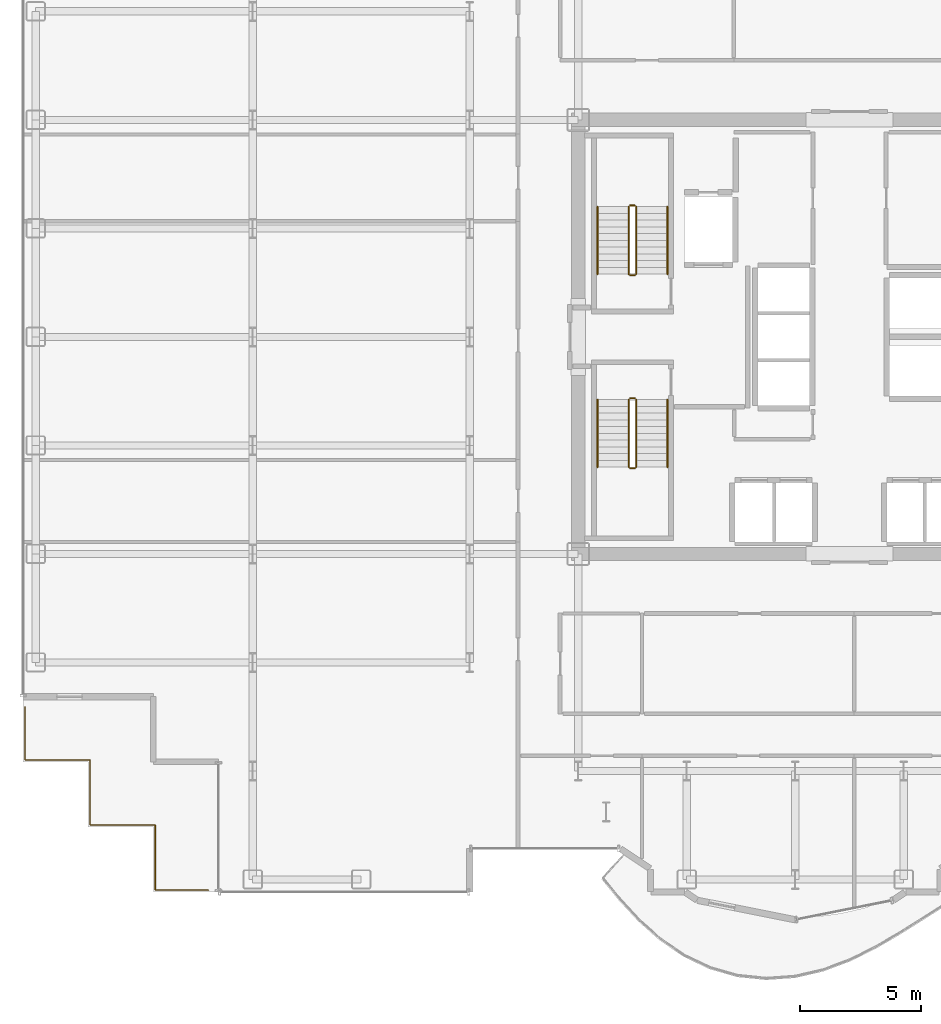
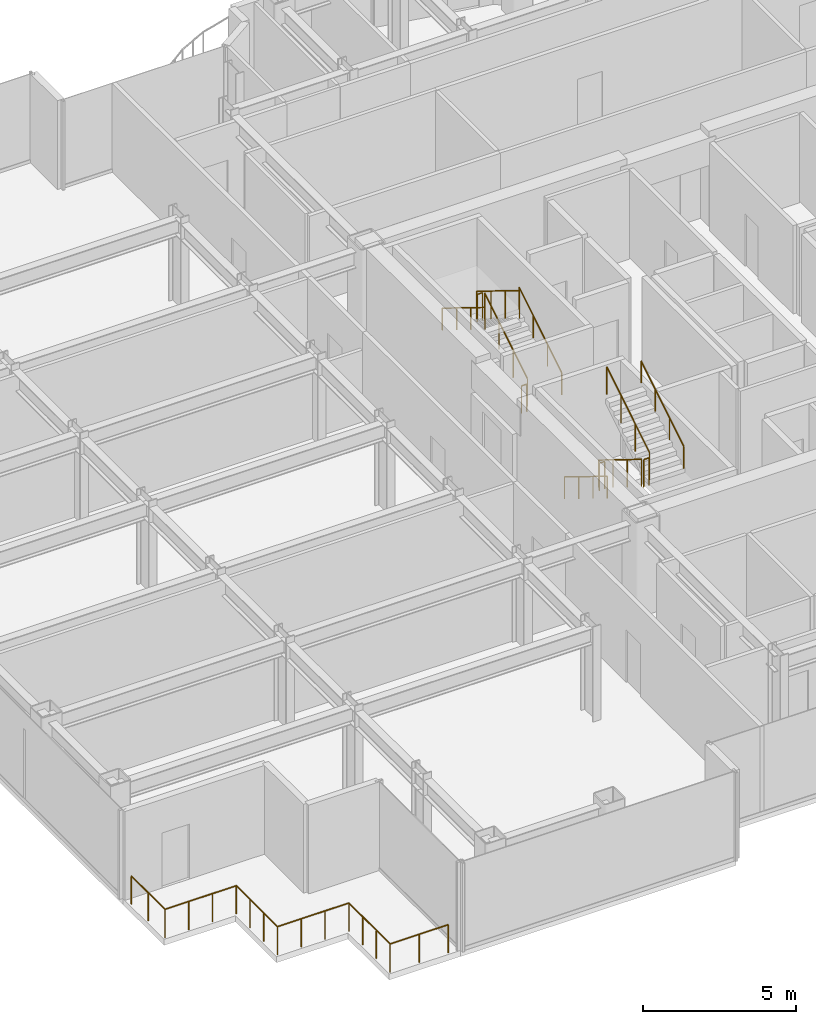
# One storey, part 21 of 23: 13 railings.
"""IFC4 building model written with IfcOpenShell, lengths in metres."""

from ifc_helpers import new_model, si_unit, direction, frame, origin, origin_2d, place, context, subcontext, project, spatial, circle, extrude, material, type_object, element, save


model = new_model("IFC4")

# Units and contexts
model_context = context("Model", 3, precision=1e-05, world=origin(), true_north=direction((0.0, 1.0)))
body_context = subcontext(model_context, "Body", "Model", "MODEL_VIEW")
ifc_project = project(units=[si_unit("LENGTHUNIT", "METRE"), si_unit("AREAUNIT", "SQUARE_METRE"), si_unit("VOLUMEUNIT", "CUBIC_METRE"), si_unit("PLANEANGLEUNIT", "RADIAN"), si_unit("MASSUNIT", "GRAM", prefix="KILO")], contexts=[model_context])

# Site, building, storey
site_placement = place(None, origin())
site = spatial("IfcSite", under=ifc_project, at=site_placement, CompositionType="ELEMENT")
building_placement = place(site_placement, origin())
building = spatial("IfcBuilding", under=site, at=building_placement, Name="Nefas-Gora Pilgrimage Tower", CompositionType="ELEMENT")
storey_placement = place(building_placement, frame((0.0, 0.0, 164.0)))
storey = spatial("IfcBuildingStorey", under=building, at=storey_placement, Name="L40", CompositionType="ELEMENT", Elevation=164.0)

# Railings
ifc_material_1 = material(Name="Painted galvanised steel", Category="steel")
railing_type_1 = type_object("IfcRailingType", Name="RLG-STR-GUARD-1100", PredefinedType="GUARDRAIL", material=ifc_material_1)
railing_1_placement = place(storey_placement, frame((-8.85009765625, 2.60009765625, 0.172607421875)))
element("IfcRailing", 1, at=railing_1_placement, inside=storey, type_object=railing_type_1, Name="L40 ST-01 stair guard 1", PredefinedType="GUARDRAIL", context=body_context, shape_type="SweptSolid", body=[
    extrude(circle(Radius=0.02392578125, at=origin_2d()), frame((0.0, 0.0, 1.09619140625), z_axis=(0.0, 0.851069175582, 0.525053576669), x_axis=(-1.0, 0.0, 0.0)), (0.0, 0.0, 1.0), 3.289794921875),
    extrude(circle(Radius=0.02099609375, at=origin_2d()), origin(), (0.0, 0.0, 1.0), 1.072021484375),
    extrude(circle(Radius=0.02099609375, at=origin_2d()), frame((0.0, 0.933349609375, 0.57568359375)), (0.0, 0.0, 1.0), 1.072021484375),
    extrude(circle(Radius=0.02099609375, at=origin_2d()), frame((0.0, 1.866455078125, 1.151611328125)), (0.0, 0.0, 1.0), 1.072021484375),
    extrude(circle(Radius=0.02099609375, at=origin_2d()), frame((0.0, 2.7998046875, 1.727294921875)), (0.0, 0.0, 1.0), 1.072021484375),
])
railing_2_placement = place(storey_placement, frame((-8.89990234375, 5.449951171875, 1.89990234375)))
element("IfcRailing", 2, at=railing_2_placement, inside=storey, type_object=railing_type_1, Name="L40 ST-01 stair guard 2", PredefinedType="GUARDRAIL", context=body_context, shape_type="SweptSolid", body=[
    extrude(circle(Radius=0.02392578125, at=origin_2d()), frame((0.0, 0.0, 1.09619140625), z_axis=(-1.0, 0.0, 0.0), x_axis=(0.0, -1.0, 0.0)), (0.0, 0.0, 1.0), 0.2001953125),
    extrude(circle(Radius=0.02099609375, at=origin_2d()), origin(), (0.0, 0.0, 1.0), 1.072021484375),
    extrude(circle(Radius=0.02099609375, at=origin_2d()), frame((-0.2001953125, 0.0, 0.0)), (0.0, 0.0, 1.0), 1.072021484375),
])
railing_3_placement = place(storey_placement, frame((-9.14990234375, 5.39990234375, 2.07275390625)))
element("IfcRailing", 3, at=railing_3_placement, inside=storey, type_object=railing_type_1, Name="L40 ST-01 stair guard 3", PredefinedType="GUARDRAIL", context=body_context, shape_type="SweptSolid", body=[
    extrude(circle(Radius=0.02392578125, at=origin_2d()), frame((0.0, 0.0, 1.09619140625), z_axis=(0.0, -0.851069175582, 0.525053576669), x_axis=(1.0, 0.0, 0.0)), (0.0, 0.0, 1.0), 3.289794921875),
    extrude(circle(Radius=0.02099609375, at=origin_2d()), origin(), (0.0, 0.0, 1.0), 1.072021484375),
    extrude(circle(Radius=0.02099609375, at=origin_2d()), frame((0.0, -0.933349609375, 0.57568359375)), (0.0, 0.0, 1.0), 1.072021484375),
    extrude(circle(Radius=0.02099609375, at=origin_2d()), frame((0.0, -1.866455078125, 1.151611328125)), (0.0, 0.0, 1.0), 1.072021484375),
    extrude(circle(Radius=0.02099609375, at=origin_2d()), frame((0.0, -2.7998046875, 1.727294921875)), (0.0, 0.0, 1.0), 1.072021484375),
])
railing_4_placement = place(storey_placement, frame((-8.89990234375, 2.550048828125, 0.0)))
element("IfcRailing", 4, at=railing_4_placement, inside=storey, type_object=railing_type_1, Name="L40 ST-01 stair guard 4", PredefinedType="GUARDRAIL", context=body_context, shape_type="SweptSolid", body=[
    extrude(circle(Radius=0.02392578125, at=origin_2d()), frame((0.0, 0.0, 1.09619140625), z_axis=(-1.0, 0.0, 0.0), x_axis=(0.0, -1.0, 0.0)), (0.0, 0.0, 1.0), 0.2001953125),
    extrude(circle(Radius=0.02099609375, at=origin_2d()), origin(), (0.0, 0.0, 1.0), 1.072021484375),
    extrude(circle(Radius=0.02099609375, at=origin_2d()), frame((-0.2001953125, 0.0, 0.0)), (0.0, 0.0, 1.0), 1.072021484375),
])
railing_5_placement = place(storey_placement, frame((-9.14990234375, -2.60009765625, 0.172607421875)))
element("IfcRailing", 5, at=railing_5_placement, inside=storey, type_object=railing_type_1, Name="L40 ST-03 stair guard 1", PredefinedType="GUARDRAIL", context=body_context, shape_type="SweptSolid", body=[
    extrude(circle(Radius=0.02392578125, at=origin_2d()), frame((0.0, 0.0, 1.09619140625), z_axis=(0.0, -0.851069175582, 0.525053576669), x_axis=(1.0, 0.0, 0.0)), (0.0, 0.0, 1.0), 3.289794921875),
    extrude(circle(Radius=0.02099609375, at=origin_2d()), origin(), (0.0, 0.0, 1.0), 1.072021484375),
    extrude(circle(Radius=0.02099609375, at=origin_2d()), frame((0.0, -0.933349609375, 0.57568359375)), (0.0, 0.0, 1.0), 1.072021484375),
    extrude(circle(Radius=0.02099609375, at=origin_2d()), frame((0.0, -1.866455078125, 1.151611328125)), (0.0, 0.0, 1.0), 1.072021484375),
    extrude(circle(Radius=0.02099609375, at=origin_2d()), frame((0.0, -2.7998046875, 1.727294921875)), (0.0, 0.0, 1.0), 1.072021484375),
])
railing_6_placement = place(storey_placement, frame((-9.10009765625, -5.449951171875, 1.89990234375)))
element("IfcRailing", 6, at=railing_6_placement, inside=storey, type_object=railing_type_1, Name="L40 ST-03 stair guard 2", PredefinedType="GUARDRAIL", context=body_context, shape_type="SweptSolid", body=[
    extrude(circle(Radius=0.02392578125, at=origin_2d()), frame((0.0, 0.0, 1.09619140625), z_axis=(1.0, 0.0, 0.0), x_axis=(0.0, 1.0, 0.0)), (0.0, 0.0, 1.0), 0.2001953125),
    extrude(circle(Radius=0.02099609375, at=origin_2d()), origin(), (0.0, 0.0, 1.0), 1.072021484375),
    extrude(circle(Radius=0.02099609375, at=origin_2d()), frame((0.2001953125, 0.0, 0.0)), (0.0, 0.0, 1.0), 1.072021484375),
])
railing_7_placement = place(storey_placement, frame((-8.85009765625, -5.39990234375, 2.07275390625)))
element("IfcRailing", 7, at=railing_7_placement, inside=storey, type_object=railing_type_1, Name="L40 ST-03 stair guard 3", PredefinedType="GUARDRAIL", context=body_context, shape_type="SweptSolid", body=[
    extrude(circle(Radius=0.02392578125, at=origin_2d()), frame((0.0, 0.0, 1.09619140625), z_axis=(0.0, 0.851069175582, 0.525053576669), x_axis=(-1.0, 0.0, 0.0)), (0.0, 0.0, 1.0), 3.289794921875),
    extrude(circle(Radius=0.02099609375, at=origin_2d()), origin(), (0.0, 0.0, 1.0), 1.072021484375),
    extrude(circle(Radius=0.02099609375, at=origin_2d()), frame((0.0, 0.933349609375, 0.57568359375)), (0.0, 0.0, 1.0), 1.072021484375),
    extrude(circle(Radius=0.02099609375, at=origin_2d()), frame((0.0, 1.866455078125, 1.151611328125)), (0.0, 0.0, 1.0), 1.072021484375),
    extrude(circle(Radius=0.02099609375, at=origin_2d()), frame((0.0, 2.7998046875, 1.727294921875)), (0.0, 0.0, 1.0), 1.072021484375),
])
railing_8_placement = place(storey_placement, frame((-9.10009765625, -2.550048828125, 0.0)))
element("IfcRailing", 8, at=railing_8_placement, inside=storey, type_object=railing_type_1, Name="L40 ST-03 stair guard 4", PredefinedType="GUARDRAIL", context=body_context, shape_type="SweptSolid", body=[
    extrude(circle(Radius=0.02392578125, at=origin_2d()), frame((0.0, 0.0, 1.09619140625), z_axis=(1.0, 0.0, 0.0), x_axis=(0.0, 1.0, 0.0)), (0.0, 0.0, 1.0), 0.2001953125),
    extrude(circle(Radius=0.02099609375, at=origin_2d()), origin(), (0.0, 0.0, 1.0), 1.072021484375),
    extrude(circle(Radius=0.02099609375, at=origin_2d()), frame((0.2001953125, 0.0, 0.0)), (0.0, 0.0, 1.0), 1.072021484375),
])
ifc_material_2 = material(Name="Brushed stainless steel", Category="steel")
railing_type_2 = type_object("IfcRailingType", Name="RLG-STR-HAND-900", PredefinedType="HANDRAIL", material=ifc_material_2)
railing_9_placement = place(storey_placement, frame((-7.550048828125, 2.60009765625, 0.172607421875)))
element("IfcRailing", 9, at=railing_9_placement, inside=storey, type_object=railing_type_2, Name="L40 ST-01 stair handrail 1", PredefinedType="HANDRAIL", context=body_context, shape_type="SweptSolid", body=[
    extrude(circle(Radius=0.02392578125, at=origin_2d()), frame((0.0, 0.0, 0.8759765625), z_axis=(0.0, 0.851069175582, 0.525053576669), x_axis=(-1.0, 0.0, 0.0)), (0.0, 0.0, 1.0), 3.289794921875),
    extrude(circle(Radius=0.02099609375, at=origin_2d()), origin(), (0.0, 0.0, 1.0), 0.851806640625),
    extrude(circle(Radius=0.02099609375, at=origin_2d()), frame((0.0, 0.933349609375, 0.57568359375)), (0.0, 0.0, 1.0), 0.851806640625),
    extrude(circle(Radius=0.02099609375, at=origin_2d()), frame((0.0, 1.866455078125, 1.151611328125)), (0.0, 0.0, 1.0), 0.851806640625),
    extrude(circle(Radius=0.02099609375, at=origin_2d()), frame((0.0, 2.7998046875, 1.727294921875)), (0.0, 0.0, 1.0), 0.851806640625),
])
for number, where, name in (
    (10, (-10.449951171875, 5.39990234375, 2.07275390625), "L40 ST-01 stair handrail 2"),
    (11, (-10.449951171875, -2.60009765625, 0.172607421875), "L40 ST-03 stair handrail 1"),
):
    element("IfcRailing", number, at=place(storey_placement, frame(where)), inside=storey, type_object=railing_type_2, Name=name, PredefinedType="HANDRAIL", context=body_context, shape_type="SweptSolid", body=[
        extrude(circle(Radius=0.02392578125, at=origin_2d()), frame((0.0, 0.0, 0.8759765625), z_axis=(0.0, -0.851069175582, 0.525053576669), x_axis=(1.0, 0.0, 0.0)), (0.0, 0.0, 1.0), 3.289794921875),
        extrude(circle(Radius=0.02099609375, at=origin_2d()), origin(), (0.0, 0.0, 1.0), 0.851806640625),
        extrude(circle(Radius=0.02099609375, at=origin_2d()), frame((0.0, -0.933349609375, 0.57568359375)), (0.0, 0.0, 1.0), 0.851806640625),
        extrude(circle(Radius=0.02099609375, at=origin_2d()), frame((0.0, -1.866455078125, 1.151611328125)), (0.0, 0.0, 1.0), 0.851806640625),
        extrude(circle(Radius=0.02099609375, at=origin_2d()), frame((0.0, -2.7998046875, 1.727294921875)), (0.0, 0.0, 1.0), 0.851806640625),
    ])
railing_10_placement = place(storey_placement, frame((-7.550048828125, -5.39990234375, 2.07275390625)))
element("IfcRailing", 12, at=railing_10_placement, inside=storey, type_object=railing_type_2, Name="L40 ST-03 stair handrail 2", PredefinedType="HANDRAIL", context=body_context, shape_type="SweptSolid", body=[
    extrude(circle(Radius=0.02392578125, at=origin_2d()), frame((0.0, 0.0, 0.8759765625), z_axis=(0.0, 0.851069175582, 0.525053576669), x_axis=(-1.0, 0.0, 0.0)), (0.0, 0.0, 1.0), 3.289794921875),
    extrude(circle(Radius=0.02099609375, at=origin_2d()), origin(), (0.0, 0.0, 1.0), 0.851806640625),
    extrude(circle(Radius=0.02099609375, at=origin_2d()), frame((0.0, 0.933349609375, 0.57568359375)), (0.0, 0.0, 1.0), 0.851806640625),
    extrude(circle(Radius=0.02099609375, at=origin_2d()), frame((0.0, 1.866455078125, 1.151611328125)), (0.0, 0.0, 1.0), 0.851806640625),
    extrude(circle(Radius=0.02099609375, at=origin_2d()), frame((0.0, 2.7998046875, 1.727294921875)), (0.0, 0.0, 1.0), 0.851806640625),
])
ifc_material_3 = material(Name="Laminated safety glass and stainless steel", Category="steel")
railing_type_3 = type_object("IfcRailingType", Name="RLG-TER-1150", PredefinedType="BALUSTRADE", material=ifc_material_3)
railing_11_placement = place(storey_placement, frame((-26.590087890625, -22.93994140625, 0.0)))
element("IfcRailing", 13, at=railing_11_placement, inside=storey, type_object=railing_type_3, Name="L40 Terrace Continuous Balustrade TER-SP-SW.1", PredefinedType="BALUSTRADE", context=body_context, shape_type="SweptSolid", body=[
    extrude(circle(Radius=0.02392578125, at=origin_2d()), frame((0.0, 0.0, 1.1259765625), z_axis=(-1.0, 0.0, 0.0), x_axis=(0.0, -1.0, 0.0)), (0.0, 0.0, 1.0), 2.199951171875),
    extrude(circle(Radius=0.02392578125, at=origin_2d()), frame((-2.199951171875, 0.0, 1.1259765625), z_axis=(0.0, 1.0, 0.0), x_axis=(-1.0, 0.0, 0.0)), (0.0, 0.0, 1.0), 2.699951171875),
    extrude(circle(Radius=0.02392578125, at=origin_2d()), frame((-2.199951171875, 2.699951171875, 1.1259765625), z_axis=(-1.0, 0.0, 0.0), x_axis=(0.0, -1.0, 0.0)), (0.0, 0.0, 1.0), 2.699951171875),
    extrude(circle(Radius=0.02392578125, at=origin_2d()), frame((-4.89990234375, 2.699951171875, 1.1259765625), z_axis=(0.0, 1.0, 0.0), x_axis=(-1.0, 0.0, 0.0)), (0.0, 0.0, 1.0), 2.699951171875),
    extrude(circle(Radius=0.02392578125, at=origin_2d()), frame((-4.89990234375, 5.39990234375, 1.1259765625), z_axis=(-1.0, 0.0, 0.0), x_axis=(0.0, -1.0, 0.0)), (0.0, 0.0, 1.0), 2.699951171875),
    extrude(circle(Radius=0.02392578125, at=origin_2d()), frame((-7.599853515625, 5.39990234375, 1.1259765625), z_axis=(0.0, 1.0, 0.0), x_axis=(-1.0, 0.0, 0.0)), (0.0, 0.0, 1.0), 2.199951171875),
    extrude(circle(Radius=0.02099609375, at=origin_2d()), origin(), (0.0, 0.0, 1.0), 1.101806640625),
    extrude(circle(Radius=0.02099609375, at=origin_2d()), frame((-1.10009765625, 0.0, 0.0)), (0.0, 0.0, 1.0), 1.101806640625),
    extrude(circle(Radius=0.02099609375, at=origin_2d()), frame((-2.199951171875, 0.0, 0.0)), (0.0, 0.0, 1.0), 1.101806640625),
    extrude(circle(Radius=0.02099609375, at=origin_2d()), frame((-2.199951171875, 0.89990234375, 0.0)), (0.0, 0.0, 1.0), 1.101806640625),
    extrude(circle(Radius=0.02099609375, at=origin_2d()), frame((-2.199951171875, 1.800048828125, 0.0)), (0.0, 0.0, 1.0), 1.101806640625),
    extrude(circle(Radius=0.02099609375, at=origin_2d()), frame((-2.199951171875, 2.699951171875, 0.0)), (0.0, 0.0, 1.0), 1.101806640625),
    extrude(circle(Radius=0.02099609375, at=origin_2d()), frame((-3.099853515625, 2.699951171875, 0.0)), (0.0, 0.0, 1.0), 1.101806640625),
    extrude(circle(Radius=0.02099609375, at=origin_2d()), frame((-4.0, 2.699951171875, 0.0)), (0.0, 0.0, 1.0), 1.101806640625),
    extrude(circle(Radius=0.02099609375, at=origin_2d()), frame((-4.89990234375, 2.699951171875, 0.0)), (0.0, 0.0, 1.0), 1.101806640625),
    extrude(circle(Radius=0.02099609375, at=origin_2d()), frame((-4.89990234375, 3.599853515625, 0.0)), (0.0, 0.0, 1.0), 1.101806640625),
    extrude(circle(Radius=0.02099609375, at=origin_2d()), frame((-4.89990234375, 4.5, 0.0)), (0.0, 0.0, 1.0), 1.101806640625),
    extrude(circle(Radius=0.02099609375, at=origin_2d()), frame((-4.89990234375, 5.39990234375, 0.0)), (0.0, 0.0, 1.0), 1.101806640625),
    extrude(circle(Radius=0.02099609375, at=origin_2d()), frame((-5.7998046875, 5.39990234375, 0.0)), (0.0, 0.0, 1.0), 1.101806640625),
    extrude(circle(Radius=0.02099609375, at=origin_2d()), frame((-6.699951171875, 5.39990234375, 0.0)), (0.0, 0.0, 1.0), 1.101806640625),
    extrude(circle(Radius=0.02099609375, at=origin_2d()), frame((-7.599853515625, 5.39990234375, 0.0)), (0.0, 0.0, 1.0), 1.101806640625),
    extrude(circle(Radius=0.02099609375, at=origin_2d()), frame((-7.599853515625, 6.5, 0.0)), (0.0, 0.0, 1.0), 1.101806640625),
    extrude(circle(Radius=0.02099609375, at=origin_2d()), frame((-7.599853515625, 7.599853515625, 0.0)), (0.0, 0.0, 1.0), 1.101806640625),
])

save(model, "model.ifc")
